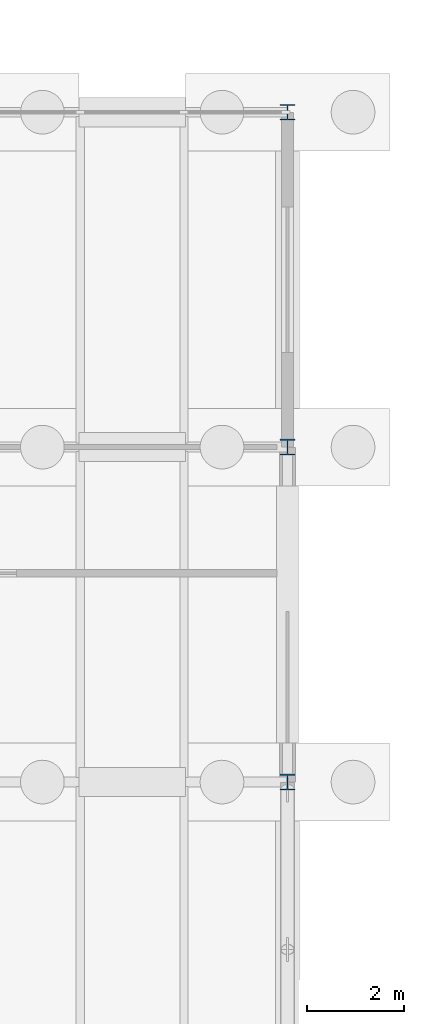
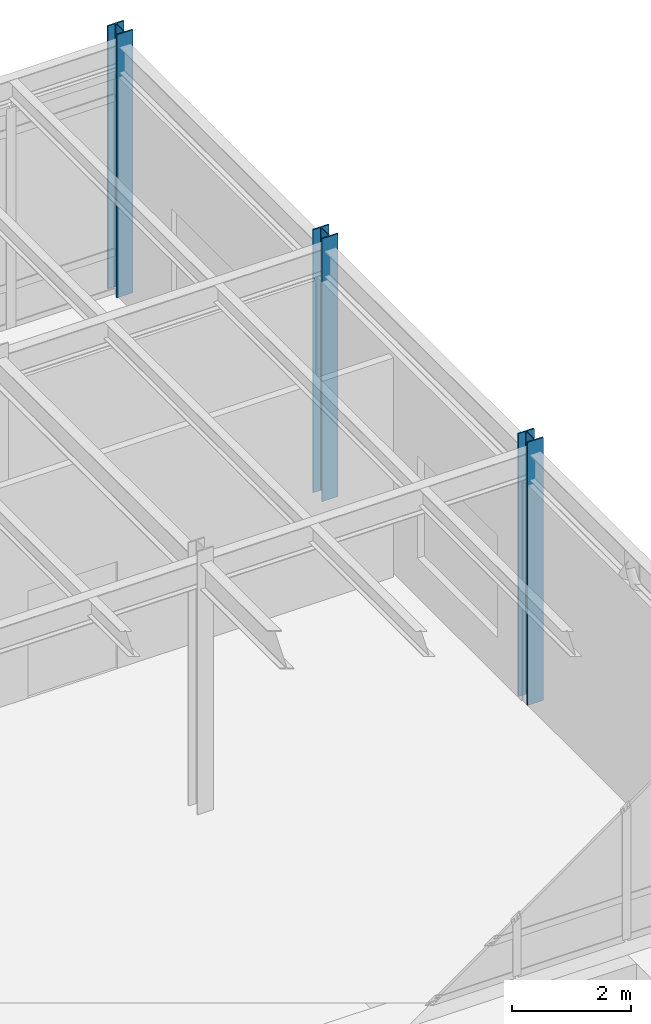
# One storey, part 29 of 82: 3 columns.
"""IFC4 building model written with IfcOpenShell, lengths in metres."""

from ifc_helpers import new_model, si_unit, direction, frame, origin, origin_2d, place, context, subcontext, project, spatial, i_section, extrude, material, material_profile, profile_set, type_object, element, save


model = new_model("IFC4")

# Units and contexts
model_context = context("Model", 3, precision=1e-05, world=origin(), true_north=direction((0.0, 1.0)))
body_context = subcontext(model_context, "Body", "Model", "MODEL_VIEW")
ifc_project = project(units=[si_unit("LENGTHUNIT", "METRE"), si_unit("AREAUNIT", "SQUARE_METRE"), si_unit("VOLUMEUNIT", "CUBIC_METRE"), si_unit("PLANEANGLEUNIT", "RADIAN"), si_unit("MASSUNIT", "GRAM", prefix="KILO")], contexts=[model_context])

# Site, building, storey
site_placement = place(None, origin())
site = spatial("IfcSite", under=ifc_project, at=site_placement, CompositionType="ELEMENT")
building_placement = place(site_placement, origin())
building = spatial("IfcBuilding", under=site, at=building_placement, Name="Trelmorton Wharf Fire Station", CompositionType="ELEMENT")
storey_placement = place(building_placement, origin())
storey = spatial("IfcBuildingStorey", under=building, at=storey_placement, Name="L00", CompositionType="ELEMENT", Elevation=0.0)

# Columns
ifc_material = material(Name="Steel Grade 350", Category="steel")
ifc_material_profile = material_profile(ifc_material, i_section(OverallWidth=0.31103515625, OverallDepth=0.326904296875, WebThickness=0.015625, FlangeThickness=0.02490234375, FilletRadius=0.0166015625, at=origin_2d()), Name="310UC158")
ifc_profile_set = profile_set([ifc_material_profile], Name="Steel Grade 350")
column_type = type_object("IfcColumnType", Name="COL_310UC158", PredefinedType="COLUMN", material=ifc_profile_set)
for number, where, z_axis, x_axis, name in (
    (1, (162.39990234375, 67.199951171875, 0.0), (0.0, 0.0, 1.0), (1.0, 0.0, 0.0), "COL-L00-0243"),
    (2, (162.39990234375, 74.10009765625, 0.0), (0.0, 0.0, 1.0), (1.0, 0.0, 0.0), "COL-L00-0244"),
    (3, (162.39990234375, 81.0, 0.0), (0.0, 0.0, 1.0), (1.0, 0.0, 0.0), "COL-L00-0245"),
):
    element("IfcColumn", number, at=place(storey_placement, frame(where, z_axis=z_axis, x_axis=x_axis)), inside=storey, type_object=column_type, Name=name, PredefinedType="COLUMN", context=body_context, shape_type="SweptSolid", body=[
        extrude(i_section(OverallWidth=0.31103515625, OverallDepth=0.326904296875, WebThickness=0.015625, FlangeThickness=0.02490234375, FilletRadius=0.0166015625, at=origin_2d()), origin(), (0.0, 0.0, 1.0), 5.39990234375),
    ])

save(model, "model.ifc")
